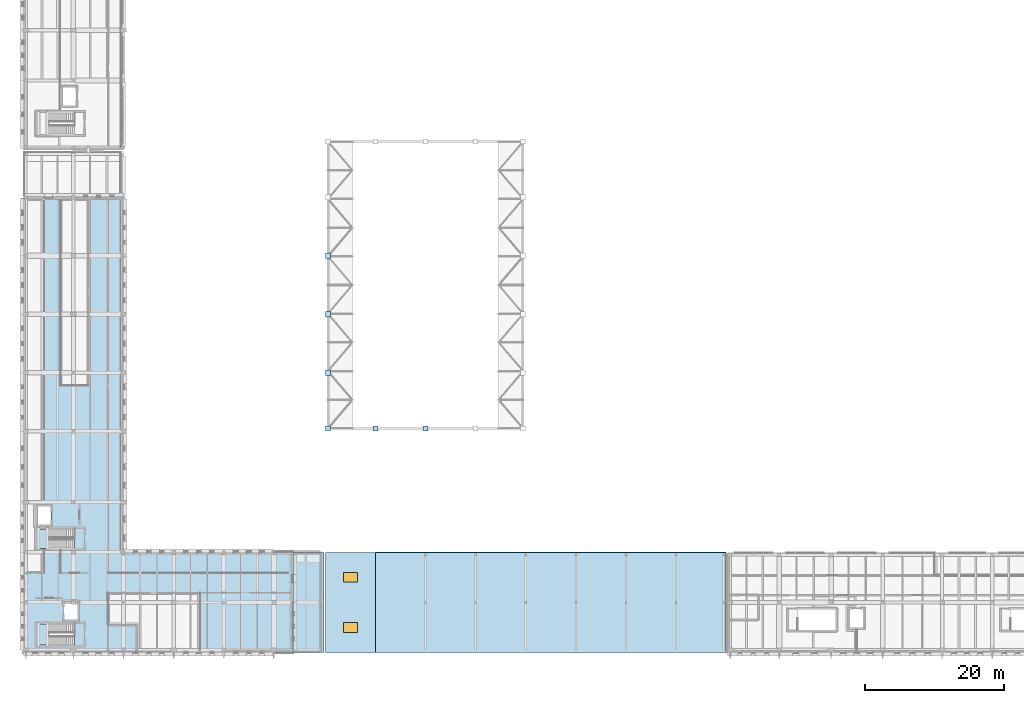
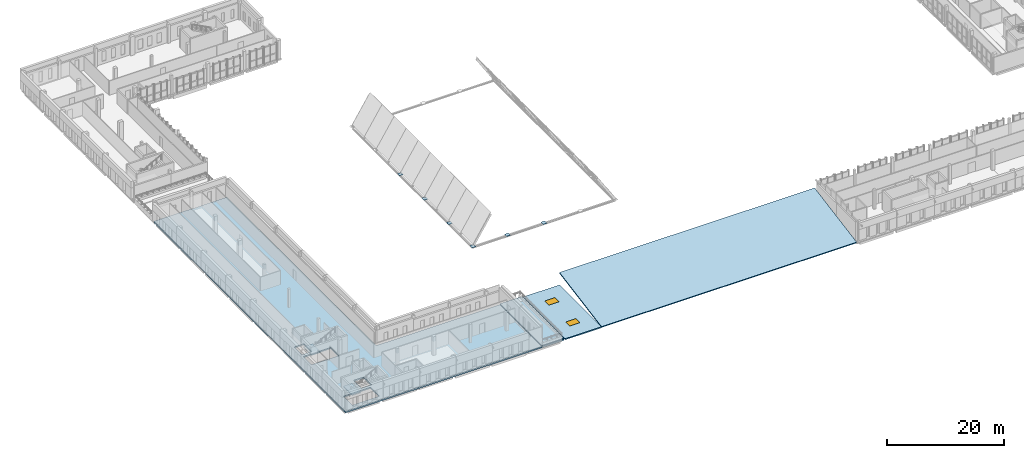
# One storey, part 29 of 56: 7 slabs, 6 plates, 2 windows, 2 openings, 2 elements without a shape of their own.
"""IFC4 building model written with IfcOpenShell, lengths in metres."""

from ifc_helpers import new_model, si_unit, direction, frame, origin, origin_2d, place, context, subcontext, project, spatial, polyline, rectangle, outline, extrude, material, layer, layer_set, type_object, element, fill, aggregate, save


model = new_model("IFC4")

# Units and contexts
model_context = context("Model", 3, precision=1e-05, world=origin(), true_north=direction((0.0, 1.0)))
body_context = subcontext(model_context, "Body", "Model", "MODEL_VIEW")
ifc_project = project(units=[si_unit("LENGTHUNIT", "METRE"), si_unit("AREAUNIT", "SQUARE_METRE"), si_unit("VOLUMEUNIT", "CUBIC_METRE"), si_unit("PLANEANGLEUNIT", "RADIAN"), si_unit("MASSUNIT", "GRAM", prefix="KILO")], contexts=[model_context])

# Site, building, storey
site_placement = place(None, origin())
site = spatial("IfcSite", under=ifc_project, at=site_placement, CompositionType="ELEMENT")
building_placement = place(site_placement, origin())
building = spatial("IfcBuilding", under=site, at=building_placement, Name="Vardoun Plaza Health Centre", CompositionType="ELEMENT")
storey_placement = place(building_placement, frame((0.0, 0.0, 8.699951171875)))
storey = spatial("IfcBuildingStorey", under=building, at=storey_placement, Name="L02", CompositionType="ELEMENT", Elevation=8.699951171875)

# Stair, slab
ifc_material_1 = material(Name="Concrete C35/45", Category="concrete")
stair_type = type_object("IfcStairType", Name="ST-01", PredefinedType="HALF_TURN_STAIR", material=ifc_material_1)
stair_1_placement = place(storey_placement, origin())
stair_1 = element("IfcStair", 1, at=stair_1_placement, inside=storey, type_object=stair_type, Name="Core C1 L02 Exit Stair ST-C1-L02", PredefinedType="HALF_TURN_STAIR")
ifc_material_2 = material(Name="Concrete C35/45", Category="concrete")
ifc_layer_1 = layer(ifc_material_2, 0.199951171875)
ifc_layer_set_1 = layer_set([ifc_layer_1], Name="Concrete C35/45")
slab_type_1 = type_object("IfcSlabType", Name="SL-LD", PredefinedType="LANDING", material=ifc_layer_set_1)
slab_1_placement = place(storey_placement, frame((0.0, 0.0, 1.900146484375)))
slab_1 = element("IfcSlab", 2, at=slab_1_placement, type_object=slab_type_1, Name="ST-C1-L02 landing 1", PredefinedType="LANDING", context=body_context, shape_type="SweptSolid", body=[
    extrude(outline(polyline([(6.47509765625, 5.574951171875), (8.210693359375, 5.574951171875), (8.210693359375, 8.625), (6.47509765625, 8.625), (6.47509765625, 5.574951171875)])), origin(), (0.0, 0.0, 1.0), 0.199951171875),
])
aggregate(stair_1, [slab_1])

stair_2_placement = place(storey_placement, origin())
stair_2 = element("IfcStair", 3, at=stair_2_placement, inside=storey, type_object=stair_type, Name="Core C2 L02 Exit Stair ST-C2-L02", PredefinedType="HALF_TURN_STAIR")
slab_2_placement = place(storey_placement, frame((0.0, 0.0, 1.900146484375)))
slab_2 = element("IfcSlab", 4, at=slab_2_placement, type_object=slab_type_1, Name="ST-C2-L02 landing 1", PredefinedType="LANDING", context=body_context, shape_type="SweptSolid", body=[
    extrude(outline(polyline([(6.47509765625, 19.47509765625), (8.210693359375, 19.47509765625), (8.210693359375, 22.27490234375), (6.47509765625, 22.27490234375), (6.47509765625, 19.47509765625)])), origin(), (0.0, 0.0, 1.0), 0.199951171875),
])
aggregate(stair_2, [slab_2])

# Plates
ifc_material_3 = material(Name="Steel S355J2", Category="steel")
ifc_layer_2 = layer(ifc_material_3, 0.044921875)
ifc_layer_set_2 = layer_set([ifc_layer_2], Name="Steel S355J2")
plate_type = type_object("IfcPlateType", Name="BP-02", PredefinedType="SHEET", material=ifc_layer_set_2)
for number, where, z_axis, x_axis, name in (
    (5, (48.260009765625, 36.679931640625, -0.344970703125), (0.0, 0.0, 1.0), (1.0, 0.0, 0.0), "Gridshell Ring Base Plate 1"),
    (6, (48.260009765625, 44.699951171875, -0.344970703125), (0.0, 0.0, 1.0), (1.0, 0.0, 0.0), "Gridshell Ring Base Plate 2"),
    (7, (48.260009765625, 53.10009765625, -0.344970703125), (0.0, 0.0, 1.0), (1.0, 0.0, 0.0), "Gridshell Ring Base Plate 3"),
    (8, (48.260009765625, 61.5, -0.344970703125), (0.0, 0.0, 1.0), (1.0, 0.0, 0.0), "Gridshell Ring Base Plate 4"),
    (9, (55.080078125, 36.679931640625, -0.344970703125), (0.0, 0.0, 1.0), (1.0, 0.0, 0.0), "Gridshell Ring Base Plate 7"),
    (10, (62.280029296875, 36.679931640625, -0.344970703125), (0.0, 0.0, 1.0), (1.0, 0.0, 0.0), "Gridshell Ring Base Plate 9"),
):
    element("IfcPlate", number, at=place(storey_placement, frame(where, z_axis=z_axis, x_axis=x_axis)), inside=storey, type_object=plate_type, Name=name, PredefinedType="SHEET", context=body_context, shape_type="SweptSolid", body=[
        extrude(rectangle(XDim=0.75, YDim=0.75, at=origin_2d()), origin(), (0.0, 0.0, 1.0), 0.044921875),
    ])

# Slab
ifc_material_4 = material(Name="Pale Limestone Concrete C35/45", Category="masonry")
ifc_layer_3 = layer(ifc_material_4, 0.239990234375)
ifc_layer_set_3 = layer_set([ifc_layer_3], Name="Pale Limestone Concrete C35/45")
slab_type_2 = type_object("IfcSlabType", Name="RF-01", PredefinedType="ROOF", material=ifc_layer_set_3)
slab_3_placement = place(storey_placement, frame((0.0, 0.0, -0.280029296875)))
element("IfcSlab", 11, at=slab_3_placement, inside=storey, type_object=slab_type_2, Name="V2 L02 Step-Back Structural Roof Slab 2", PredefinedType="ROOF", context=body_context, shape_type="SweptSolid", body=[
    extrude(outline(polyline([(43.300048828125, 4.5), (47.699951171875, 4.5), (47.699951171875, 18.89990234375), (43.300048828125, 18.89990234375), (43.300048828125, 4.5)])), origin(), (0.0, 0.0, 1.0), 0.280029296875),
])

# Slab, openings, windows
slab_4_placement = place(storey_placement, frame((0.0, 0.0, -0.239990234375)))
slab_4 = element("IfcSlab", 12, at=slab_4_placement, inside=storey, type_object=slab_type_2, Name="V4 Imaging West Skylight Roof Slab", PredefinedType="ROOF", context=body_context, shape_type="SweptSolid", body=[
    extrude(outline(polyline([(47.8798828125, 4.5), (55.080078125, 4.5), (55.080078125, 18.89990234375), (47.8798828125, 18.89990234375), (47.8798828125, 4.5)])), origin(), (0.0, 0.0, 1.0), 0.239990234375),
])
opening_1_placement = place(slab_4_placement, frame((51.47998046875, 8.10009765625, 0.0)))
opening_1 = element("IfcOpeningElement", 13, at=opening_1_placement, cuts=slab_4, Name="Opening SK-02-001", PredefinedType="OPENING", context=body_context, shape_type="SweptSolid", body=[
    extrude(rectangle(XDim=2.0, YDim=1.39990234375, at=origin_2d()), origin(), (0.0, 0.0, 1.0), 0.239990234375),
])
opening_2_placement = place(slab_4_placement, frame((51.47998046875, 15.300048828125, 0.0)))
opening_2 = element("IfcOpeningElement", 14, at=opening_2_placement, cuts=slab_4, Name="Opening SK-02-002", PredefinedType="OPENING", context=body_context, shape_type="SweptSolid", body=[
    extrude(rectangle(XDim=2.0, YDim=1.39990234375, at=origin_2d()), origin(), (0.0, 0.0, 1.0), 0.239990234375),
])
ifc_material_5 = material(Name="Aluminium Alloy EN AW-6063-T6 and Low-E Glass", Category="aluminium")
window_type = type_object("IfcWindowType", Name="SK-02", PartitioningType="SINGLE_PANEL", PredefinedType="SKYLIGHT", material=ifc_material_5)
window_1_placement = place(opening_1_placement, frame((0.0, 0.0, 0.18994140625)))
window_1 = element("IfcWindow", 15, at=window_1_placement, inside=storey, type_object=window_type, Name="V4 Diagnostic Daylight Skylight 1", OverallHeight=1.39990234375, OverallWidth=2.0, PartitioningType="SINGLE_PANEL", PredefinedType="SKYLIGHT", context=body_context, shape_type="SweptSolid", body=[
    extrude(rectangle(XDim=2.0, YDim=1.39990234375, at=origin_2d()), origin(), (0.0, 0.0, 1.0), 0.050048828125),
])
fill(opening_1, window_1)
window_2_placement = place(opening_2_placement, frame((0.0, 0.0, 0.18994140625)))
window_2 = element("IfcWindow", 16, at=window_2_placement, inside=storey, type_object=window_type, Name="V4 Diagnostic Daylight Skylight 2", OverallHeight=1.39990234375, OverallWidth=2.0, PartitioningType="SINGLE_PANEL", PredefinedType="SKYLIGHT", context=body_context, shape_type="SweptSolid", body=[
    extrude(rectangle(XDim=2.0, YDim=1.39990234375, at=origin_2d()), origin(), (0.0, 0.0, 1.0), 0.050048828125),
])
fill(opening_2, window_2)

# Slabs
ifc_material_6 = material(Name="Pale Limestone Concrete C35/45", Category="masonry")
ifc_layer_4 = layer(ifc_material_6, 0.205078125)
ifc_layer_set_4 = layer_set([ifc_layer_4], Name="Pale Limestone Concrete C35/45")
slab_type_3 = type_object("IfcSlabType", Name="RF-03", PredefinedType="ROOF", material=ifc_layer_set_4)
slab_5_placement = place(storey_placement, frame((55.080078125, 4.5, 0.0), z_axis=(0.0, -0.177690160531, 0.98408648342), x_axis=(1.0, 0.0, 0.0)))
element("IfcSlab", 17, at=slab_5_placement, inside=storey, type_object=slab_type_3, Name="V4 Imaging Mono-Pitch Concrete Roof Shell", PredefinedType="ROOF", context=body_context, shape_type="SweptSolid", body=[
    extrude(outline(polyline([(0.0, 0.0), (50.39990234375, 0.0), (50.39990234375, 14.632761028991537), (0.0, 14.632761028991537), (0.0, 0.0)])), origin(), (0.0, 0.0, -1.0), 0.205078125),
])
ifc_material_7 = material(Name="Concrete C35/45", Category="concrete")
ifc_layer_5 = layer(ifc_material_7, 0.280029296875)
ifc_layer_set_5 = layer_set([ifc_layer_5], Name="Concrete C35/45")
slab_type_4 = type_object("IfcSlabType", Name="SL-03", PredefinedType="FLOOR", material=ifc_layer_set_5)
slab_6_placement = place(storey_placement, frame((0.0, 0.0, -0.280029296875)))
element("IfcSlab", 18, at=slab_6_placement, inside=storey, type_object=slab_type_4, Name="V2 L02 Structural Slab", PredefinedType="FLOOR", context=body_context, shape_type="SweptSolid", body=[
    extrude(outline(polyline([(4.5, 4.5), (43.300048828125, 4.5), (43.300048828125, 18.89990234375), (18.89990234375, 18.89990234375), (18.89990234375, 70.0), (4.5, 70.0), (4.5, 4.5)]), holes=[polyline([(6.47509765625, 5.574951171875), (11.849365234375, 5.574951171875), (11.849365234375, 8.625), (6.47509765625, 8.625), (6.47509765625, 5.574951171875)]), polyline([(10.3701171875, 9.169921875), (12.330078125, 9.169921875), (12.330078125, 11.830078125), (10.3701171875, 11.830078125), (10.3701171875, 9.169921875)]), polyline([(6.47509765625, 19.47509765625), (11.849365234375, 19.47509765625), (11.849365234375, 22.27490234375), (6.47509765625, 22.27490234375), (6.47509765625, 19.47509765625)]), polyline([(6.52001953125, 22.8701171875), (8.47998046875, 22.8701171875), (8.47998046875, 25.530029296875), (6.52001953125, 25.530029296875), (6.52001953125, 22.8701171875)])]), origin(), (0.0, 0.0, 1.0), 0.280029296875),
])
ifc_material_8 = material(Name="Pale Limestone Concrete C35/45", Category="masonry")
ifc_layer_6 = layer(ifc_material_8, 0.18994140625)
ifc_layer_set_6 = layer_set([ifc_layer_6], Name="Pale Limestone Concrete C35/45")
slab_type_5 = type_object("IfcSlabType", Name="SL-T1", PredefinedType="FLOOR", material=ifc_layer_set_6)
slab_7_placement = place(storey_placement, origin())
element("IfcSlab", 19, at=slab_7_placement, inside=storey, type_object=slab_type_5, Name="V2 L02 Planted Roof-Garden Terrace 2", PredefinedType="FLOOR", context=body_context, shape_type="SweptSolid", body=[
    extrude(outline(polyline([(43.300048828125, 4.5), (47.699951171875, 4.5), (47.699951171875, 18.89990234375), (43.300048828125, 18.89990234375), (43.300048828125, 4.5)])), origin(), (0.0, 0.0, 1.0), 0.18994140625),
])

save(model, "model.ifc")
